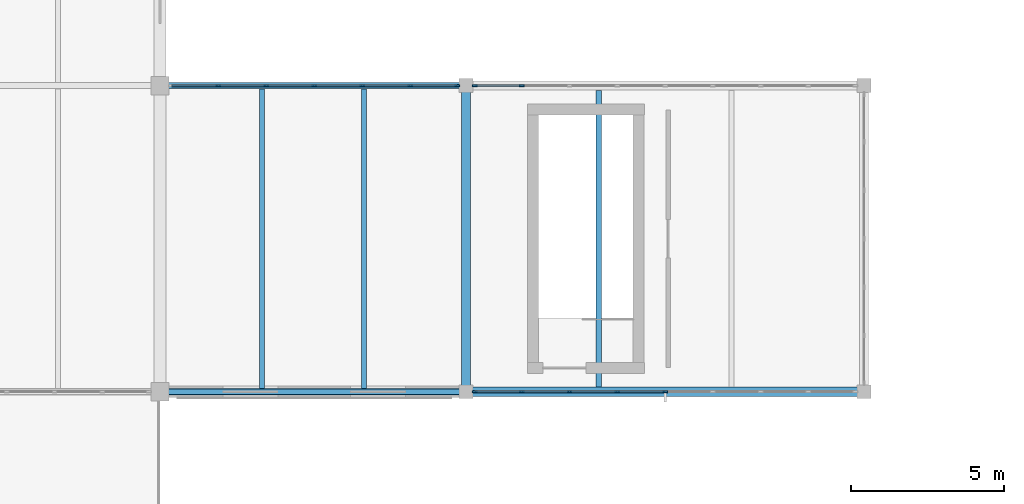
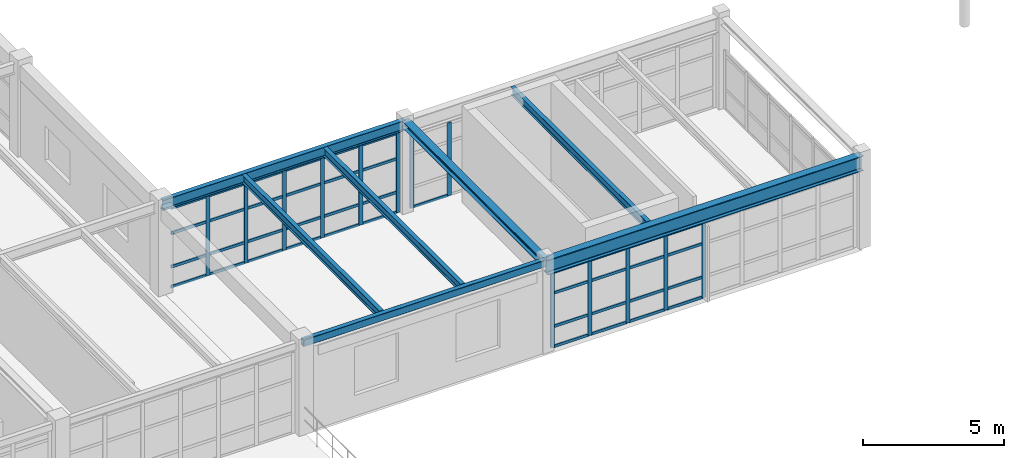
# One storey, part 28 of 122: 54 members, 7 beams, 3 elements without a shape of their own.
"""IFC4 building model written with IfcOpenShell, lengths in metres."""

from ifc_helpers import new_model, si_unit, direction, frame, origin, origin_2d, place, context, subcontext, project, spatial, rectangle, hollow_rectangle, i_section, extrude, material, layer, layer_set, material_profile, profile_set, type_object, element, aggregate, save


model = new_model("IFC4")

# Units and contexts
model_context = context("Model", 3, precision=1e-05, world=origin(), true_north=direction((0.0, 1.0)))
body_context = subcontext(model_context, "Body", "Model", "MODEL_VIEW")
ifc_project = project(units=[si_unit("LENGTHUNIT", "METRE"), si_unit("AREAUNIT", "SQUARE_METRE"), si_unit("VOLUMEUNIT", "CUBIC_METRE"), si_unit("PLANEANGLEUNIT", "RADIAN"), si_unit("MASSUNIT", "GRAM", prefix="KILO"), si_unit("THERMODYNAMICTEMPERATUREUNIT", "KELVIN"), si_unit("POWERUNIT", "WATT")], contexts=[model_context])

# Site, building, storey
site_placement = place(None, origin())
site = spatial("IfcSite", under=ifc_project, at=site_placement, CompositionType="ELEMENT")
building_placement = place(site_placement, origin())
building = spatial("IfcBuilding", under=site, at=building_placement, Name="Korenveer Ferry Terminal", CompositionType="ELEMENT")
storey_placement = place(building_placement, frame((0.0, 0.0, 10.199951171875)))
storey = spatial("IfcBuildingStorey", under=building, at=storey_placement, Name="L02", CompositionType="ELEMENT", Elevation=10.199951171875)

# Curtain wall, members
ifc_material_1 = material(Name="Unitised bronze-and-glass curtain wall", Category="glass")
ifc_layer_1 = layer(ifc_material_1, 0.159912109375)
ifc_layer_set_1 = layer_set([ifc_layer_1], Name="Unitised bronze-and-glass curtain wall")
curtain_wall_type_1 = type_object("IfcCurtainWallType", Name="ENV-CW-84", PredefinedType="USERDEFINED", material=ifc_layer_set_1)
curtain_wall_1_placement = place(storey_placement, frame((40.2548828125, 20.0, 0.0)))
curtain_wall_1 = element("IfcCurtainWall", 1, at=curtain_wall_1_placement, inside=storey, type_object=curtain_wall_type_1, Name="Lancet curtain wall CWX-L02-X40-53-Y20-20", ObjectType="UNITISED CURTAIN WALL", PredefinedType="USERDEFINED")
ifc_material_2 = material(Name="Anodised bronze aluminium", Category="aluminium")
ifc_material_profile_1 = material_profile(ifc_material_2, rectangle(XDim=0.06005859375, YDim=0.159912109375, at=origin_2d()), Name="ALU 60x160")
ifc_profile_set_1 = profile_set([ifc_material_profile_1], Name="Anodised bronze aluminium")
member_type_1 = type_object("IfcMemberType", Name="ENV-CWM-60X160", PredefinedType="MULLION", material=ifc_profile_set_1)
member_1_placement = place(storey_placement, frame((40.284912109375, 20.0, 0.0), z_axis=(0.0, 0.0, 1.0), x_axis=(0.0, 1.0, 0.0)))
member_1 = element("IfcMember", 2, at=member_1_placement, type_object=member_type_1, Name="CW-84 mullion 1", PredefinedType="MULLION", context=body_context, shape_type="SweptSolid", body=[
    extrude(rectangle(XDim=0.06005859375, YDim=0.159912109375, at=origin_2d()), origin(), (0.0, 0.0, 1.0), 3.280029296875),
])
member_2_placement = place(storey_placement, frame((41.816162109375, 20.0, 0.0), z_axis=(0.0, 0.0, 1.0), x_axis=(0.0, 1.0, 0.0)))
member_2 = element("IfcMember", 3, at=member_2_placement, type_object=member_type_1, Name="CW-84 mullion 2", PredefinedType="MULLION", context=body_context, shape_type="SweptSolid", body=[
    extrude(rectangle(XDim=0.06005859375, YDim=0.159912109375, at=origin_2d()), origin(), (0.0, 0.0, 1.0), 3.280029296875),
])
member_3_placement = place(storey_placement, frame((43.37744140625, 20.0, 0.0), z_axis=(0.0, 0.0, 1.0), x_axis=(0.0, 1.0, 0.0)))
member_3 = element("IfcMember", 4, at=member_3_placement, type_object=member_type_1, Name="CW-84 mullion 3", PredefinedType="MULLION", context=body_context, shape_type="SweptSolid", body=[
    extrude(rectangle(XDim=0.06005859375, YDim=0.159912109375, at=origin_2d()), origin(), (0.0, 0.0, 1.0), 3.280029296875),
])
member_4_placement = place(storey_placement, frame((44.938720703125, 20.0, 0.0), z_axis=(0.0, 0.0, 1.0), x_axis=(0.0, 1.0, 0.0)))
member_4 = element("IfcMember", 5, at=member_4_placement, type_object=member_type_1, Name="CW-84 mullion 4", PredefinedType="MULLION", context=body_context, shape_type="SweptSolid", body=[
    extrude(rectangle(XDim=0.06005859375, YDim=0.159912109375, at=origin_2d()), origin(), (0.0, 0.0, 1.0), 3.280029296875),
])
member_5_placement = place(storey_placement, frame((46.5, 20.0, 0.0), z_axis=(0.0, 0.0, 1.0), x_axis=(0.0, 1.0, 0.0)))
member_5 = element("IfcMember", 6, at=member_5_placement, type_object=member_type_1, Name="CW-84 mullion 5", PredefinedType="MULLION", context=body_context, shape_type="SweptSolid", body=[
    extrude(rectangle(XDim=0.06005859375, YDim=0.159912109375, at=origin_2d()), origin(), (0.0, 0.0, 1.0), 3.280029296875),
])

ifc_layer_2 = layer(ifc_material_1, 0.159912109375)
ifc_layer_set_2 = layer_set([ifc_layer_2], Name="Unitised bronze-and-glass curtain wall")
curtain_wall_type_2 = type_object("IfcCurtainWallType", Name="ENV-CW-88", PredefinedType="USERDEFINED", material=ifc_layer_set_2)
curtain_wall_2_placement = place(storey_placement, frame((30.330078125, 30.0, 0.0)))
curtain_wall_2 = element("IfcCurtainWall", 7, at=curtain_wall_2_placement, inside=storey, type_object=curtain_wall_type_2, Name="Lancet curtain wall CWX-L02-X30-40-Y30-30", ObjectType="UNITISED CURTAIN WALL", PredefinedType="USERDEFINED")
member_6_placement = place(storey_placement, frame((31.899169921875, 30.0, 0.0), z_axis=(0.0, 0.0, 1.0), x_axis=(0.0, 1.0, 0.0)))
member_6 = element("IfcMember", 8, at=member_6_placement, type_object=member_type_1, Name="CW-88 mullion 2", PredefinedType="MULLION", context=body_context, shape_type="SweptSolid", body=[
    extrude(rectangle(XDim=0.06005859375, YDim=0.159912109375, at=origin_2d()), origin(), (0.0, 0.0, 1.0), 3.47998046875),
])
member_7_placement = place(storey_placement, frame((33.46826171875, 30.0, 0.0), z_axis=(0.0, 0.0, 1.0), x_axis=(0.0, 1.0, 0.0)))
member_7 = element("IfcMember", 9, at=member_7_placement, type_object=member_type_1, Name="CW-88 mullion 3", PredefinedType="MULLION", context=body_context, shape_type="SweptSolid", body=[
    extrude(rectangle(XDim=0.06005859375, YDim=0.159912109375, at=origin_2d()), origin(), (0.0, 0.0, 1.0), 3.47998046875),
])
member_8_placement = place(storey_placement, frame((35.03759765625, 30.0, 0.0), z_axis=(0.0, 0.0, 1.0), x_axis=(0.0, 1.0, 0.0)))
member_8 = element("IfcMember", 10, at=member_8_placement, type_object=member_type_1, Name="CW-88 mullion 4", PredefinedType="MULLION", context=body_context, shape_type="SweptSolid", body=[
    extrude(rectangle(XDim=0.06005859375, YDim=0.159912109375, at=origin_2d()), origin(), (0.0, 0.0, 1.0), 3.47998046875),
])
member_9_placement = place(storey_placement, frame((36.606689453125, 30.0, 0.0), z_axis=(0.0, 0.0, 1.0), x_axis=(0.0, 1.0, 0.0)))
member_9 = element("IfcMember", 11, at=member_9_placement, type_object=member_type_1, Name="CW-88 mullion 5", PredefinedType="MULLION", context=body_context, shape_type="SweptSolid", body=[
    extrude(rectangle(XDim=0.06005859375, YDim=0.159912109375, at=origin_2d()), origin(), (0.0, 0.0, 1.0), 3.47998046875),
])
member_10_placement = place(storey_placement, frame((38.17578125, 30.0, 0.0), z_axis=(0.0, 0.0, 1.0), x_axis=(0.0, 1.0, 0.0)))
member_10 = element("IfcMember", 12, at=member_10_placement, type_object=member_type_1, Name="CW-88 mullion 6", PredefinedType="MULLION", context=body_context, shape_type="SweptSolid", body=[
    extrude(rectangle(XDim=0.06005859375, YDim=0.159912109375, at=origin_2d()), origin(), (0.0, 0.0, 1.0), 3.47998046875),
])
member_11_placement = place(storey_placement, frame((39.715087890625, 30.0, 0.0), z_axis=(0.0, 0.0, 1.0), x_axis=(0.0, 1.0, 0.0)))
member_11 = element("IfcMember", 13, at=member_11_placement, type_object=member_type_1, Name="CW-88 mullion 7", PredefinedType="MULLION", context=body_context, shape_type="SweptSolid", body=[
    extrude(rectangle(XDim=0.06005859375, YDim=0.159912109375, at=origin_2d()), origin(), (0.0, 0.0, 1.0), 3.47998046875),
])

ifc_layer_3 = layer(ifc_material_1, 0.159912109375)
ifc_layer_set_3 = layer_set([ifc_layer_3], Name="Unitised bronze-and-glass curtain wall")
curtain_wall_type_3 = type_object("IfcCurtainWallType", Name="ENV-CW-85", PredefinedType="USERDEFINED", material=ifc_layer_set_3)
curtain_wall_3_placement = place(storey_placement, frame((40.2548828125, 30.0, 0.0)))
curtain_wall_3 = element("IfcCurtainWall", 14, at=curtain_wall_3_placement, inside=storey, type_object=curtain_wall_type_3, Name="Lancet curtain wall CWX-L02-X40-53-Y30-30", ObjectType="UNITISED CURTAIN WALL", PredefinedType="USERDEFINED")
member_12_placement = place(storey_placement, frame((40.284912109375, 30.0, 0.0), z_axis=(0.0, 0.0, 1.0), x_axis=(0.0, 1.0, 0.0)))
member_12 = element("IfcMember", 15, at=member_12_placement, type_object=member_type_1, Name="CW-85 mullion 1", PredefinedType="MULLION", context=body_context, shape_type="SweptSolid", body=[
    extrude(rectangle(XDim=0.06005859375, YDim=0.159912109375, at=origin_2d()), origin(), (0.0, 0.0, 1.0), 3.179931640625),
])
member_13_placement = place(storey_placement, frame((41.816162109375, 30.0, 0.0), z_axis=(0.0, 0.0, 1.0), x_axis=(0.0, 1.0, 0.0)))
member_13 = element("IfcMember", 16, at=member_13_placement, type_object=member_type_1, Name="CW-85 mullion 2", PredefinedType="MULLION", context=body_context, shape_type="SweptSolid", body=[
    extrude(rectangle(XDim=0.06005859375, YDim=0.159912109375, at=origin_2d()), origin(), (0.0, 0.0, 1.0), 3.179931640625),
])

# Member
ifc_material_profile_2 = material_profile(ifc_material_2, rectangle(XDim=0.06005859375, YDim=0.1201171875, at=origin_2d()), Name="ALU 60x120")
ifc_profile_set_2 = profile_set([ifc_material_profile_2], Name="Anodised bronze aluminium")
member_type_2 = type_object("IfcMemberType", Name="ENV-CWT-60X120", PredefinedType="USERDEFINED", material=ifc_profile_set_2)
member_14_placement = place(storey_placement, frame((40.31494140625, 20.0, 0.030029296875), z_axis=(1.0, 0.0, 0.0), x_axis=(0.0, 1.0, 0.0)))
member_14 = element("IfcMember", 17, at=member_14_placement, type_object=member_type_2, Name="CW-84 transom 1.1", ObjectType="TRANSOM", PredefinedType="USERDEFINED", context=body_context, shape_type="SweptSolid", body=[
    extrude(rectangle(XDim=0.06005859375, YDim=0.1201171875, at=origin_2d()), origin(), (0.0, 0.0, 1.0), 1.47119140625),
])

member_15_placement = place(storey_placement, frame((40.31494140625, 20.0, 0.900146484375), z_axis=(1.0, 0.0, 0.0), x_axis=(0.0, 1.0, 0.0)))
member_15 = element("IfcMember", 18, at=member_15_placement, type_object=member_type_2, Name="CW-84 transom 1.2", ObjectType="TRANSOM", PredefinedType="USERDEFINED", context=body_context, shape_type="SweptSolid", body=[
    extrude(rectangle(XDim=0.06005859375, YDim=0.1201171875, at=origin_2d()), origin(), (0.0, 0.0, 1.0), 1.47119140625),
])

member_16_placement = place(storey_placement, frame((40.31494140625, 20.0, 2.35009765625), z_axis=(1.0, 0.0, 0.0), x_axis=(0.0, 1.0, 0.0)))
member_16 = element("IfcMember", 19, at=member_16_placement, type_object=member_type_2, Name="CW-84 transom 1.3", ObjectType="TRANSOM", PredefinedType="USERDEFINED", context=body_context, shape_type="SweptSolid", body=[
    extrude(rectangle(XDim=0.06005859375, YDim=0.1201171875, at=origin_2d()), origin(), (0.0, 0.0, 1.0), 1.47119140625),
])

member_17_placement = place(storey_placement, frame((40.31494140625, 20.0, 3.25), z_axis=(1.0, 0.0, 0.0), x_axis=(0.0, 1.0, 0.0)))
member_17 = element("IfcMember", 20, at=member_17_placement, type_object=member_type_2, Name="CW-84 transom 1.4", ObjectType="TRANSOM", PredefinedType="USERDEFINED", context=body_context, shape_type="SweptSolid", body=[
    extrude(rectangle(XDim=0.06005859375, YDim=0.1201171875, at=origin_2d()), origin(), (0.0, 0.0, 1.0), 1.47119140625),
])

member_18_placement = place(storey_placement, frame((41.84619140625, 20.0, 0.030029296875), z_axis=(1.0, 0.0, 0.0), x_axis=(0.0, 1.0, 0.0)))
member_18 = element("IfcMember", 21, at=member_18_placement, type_object=member_type_2, Name="CW-84 transom 2.1", ObjectType="TRANSOM", PredefinedType="USERDEFINED", context=body_context, shape_type="SweptSolid", body=[
    extrude(rectangle(XDim=0.06005859375, YDim=0.1201171875, at=origin_2d()), origin(), (0.0, 0.0, 1.0), 1.501220703125),
])

member_19_placement = place(storey_placement, frame((41.84619140625, 20.0, 0.900146484375), z_axis=(1.0, 0.0, 0.0), x_axis=(0.0, 1.0, 0.0)))
member_19 = element("IfcMember", 22, at=member_19_placement, type_object=member_type_2, Name="CW-84 transom 2.2", ObjectType="TRANSOM", PredefinedType="USERDEFINED", context=body_context, shape_type="SweptSolid", body=[
    extrude(rectangle(XDim=0.06005859375, YDim=0.1201171875, at=origin_2d()), origin(), (0.0, 0.0, 1.0), 1.501220703125),
])

member_20_placement = place(storey_placement, frame((41.84619140625, 20.0, 2.35009765625), z_axis=(1.0, 0.0, 0.0), x_axis=(0.0, 1.0, 0.0)))
member_20 = element("IfcMember", 23, at=member_20_placement, type_object=member_type_2, Name="CW-84 transom 2.3", ObjectType="TRANSOM", PredefinedType="USERDEFINED", context=body_context, shape_type="SweptSolid", body=[
    extrude(rectangle(XDim=0.06005859375, YDim=0.1201171875, at=origin_2d()), origin(), (0.0, 0.0, 1.0), 1.501220703125),
])

member_21_placement = place(storey_placement, frame((41.84619140625, 20.0, 3.25), z_axis=(1.0, 0.0, 0.0), x_axis=(0.0, 1.0, 0.0)))
member_21 = element("IfcMember", 24, at=member_21_placement, type_object=member_type_2, Name="CW-84 transom 2.4", ObjectType="TRANSOM", PredefinedType="USERDEFINED", context=body_context, shape_type="SweptSolid", body=[
    extrude(rectangle(XDim=0.06005859375, YDim=0.1201171875, at=origin_2d()), origin(), (0.0, 0.0, 1.0), 1.501220703125),
])

member_22_placement = place(storey_placement, frame((43.407470703125, 20.0, 0.030029296875), z_axis=(1.0, 0.0, 0.0), x_axis=(0.0, 1.0, 0.0)))
member_22 = element("IfcMember", 25, at=member_22_placement, type_object=member_type_2, Name="CW-84 transom 3.1", ObjectType="TRANSOM", PredefinedType="USERDEFINED", context=body_context, shape_type="SweptSolid", body=[
    extrude(rectangle(XDim=0.06005859375, YDim=0.1201171875, at=origin_2d()), origin(), (0.0, 0.0, 1.0), 1.501220703125),
])

member_23_placement = place(storey_placement, frame((43.407470703125, 20.0, 0.900146484375), z_axis=(1.0, 0.0, 0.0), x_axis=(0.0, 1.0, 0.0)))
member_23 = element("IfcMember", 26, at=member_23_placement, type_object=member_type_2, Name="CW-84 transom 3.2", ObjectType="TRANSOM", PredefinedType="USERDEFINED", context=body_context, shape_type="SweptSolid", body=[
    extrude(rectangle(XDim=0.06005859375, YDim=0.1201171875, at=origin_2d()), origin(), (0.0, 0.0, 1.0), 1.501220703125),
])

member_24_placement = place(storey_placement, frame((43.407470703125, 20.0, 2.35009765625), z_axis=(1.0, 0.0, 0.0), x_axis=(0.0, 1.0, 0.0)))
member_24 = element("IfcMember", 27, at=member_24_placement, type_object=member_type_2, Name="CW-84 transom 3.3", ObjectType="TRANSOM", PredefinedType="USERDEFINED", context=body_context, shape_type="SweptSolid", body=[
    extrude(rectangle(XDim=0.06005859375, YDim=0.1201171875, at=origin_2d()), origin(), (0.0, 0.0, 1.0), 1.501220703125),
])

member_25_placement = place(storey_placement, frame((43.407470703125, 20.0, 3.25), z_axis=(1.0, 0.0, 0.0), x_axis=(0.0, 1.0, 0.0)))
member_25 = element("IfcMember", 28, at=member_25_placement, type_object=member_type_2, Name="CW-84 transom 3.4", ObjectType="TRANSOM", PredefinedType="USERDEFINED", context=body_context, shape_type="SweptSolid", body=[
    extrude(rectangle(XDim=0.06005859375, YDim=0.1201171875, at=origin_2d()), origin(), (0.0, 0.0, 1.0), 1.501220703125),
])

member_26_placement = place(storey_placement, frame((44.96875, 20.0, 0.030029296875), z_axis=(1.0, 0.0, 0.0), x_axis=(0.0, 1.0, 0.0)))
member_26 = element("IfcMember", 29, at=member_26_placement, type_object=member_type_2, Name="CW-84 transom 4.1", ObjectType="TRANSOM", PredefinedType="USERDEFINED", context=body_context, shape_type="SweptSolid", body=[
    extrude(rectangle(XDim=0.06005859375, YDim=0.1201171875, at=origin_2d()), origin(), (0.0, 0.0, 1.0), 1.501220703125),
])

member_27_placement = place(storey_placement, frame((44.96875, 20.0, 0.900146484375), z_axis=(1.0, 0.0, 0.0), x_axis=(0.0, 1.0, 0.0)))
member_27 = element("IfcMember", 30, at=member_27_placement, type_object=member_type_2, Name="CW-84 transom 4.2", ObjectType="TRANSOM", PredefinedType="USERDEFINED", context=body_context, shape_type="SweptSolid", body=[
    extrude(rectangle(XDim=0.06005859375, YDim=0.1201171875, at=origin_2d()), origin(), (0.0, 0.0, 1.0), 1.501220703125),
])

member_28_placement = place(storey_placement, frame((44.96875, 20.0, 2.35009765625), z_axis=(1.0, 0.0, 0.0), x_axis=(0.0, 1.0, 0.0)))
member_28 = element("IfcMember", 31, at=member_28_placement, type_object=member_type_2, Name="CW-84 transom 4.3", ObjectType="TRANSOM", PredefinedType="USERDEFINED", context=body_context, shape_type="SweptSolid", body=[
    extrude(rectangle(XDim=0.06005859375, YDim=0.1201171875, at=origin_2d()), origin(), (0.0, 0.0, 1.0), 1.501220703125),
])

member_29_placement = place(storey_placement, frame((44.96875, 20.0, 3.25), z_axis=(1.0, 0.0, 0.0), x_axis=(0.0, 1.0, 0.0)))
member_29 = element("IfcMember", 32, at=member_29_placement, type_object=member_type_2, Name="CW-84 transom 4.4", ObjectType="TRANSOM", PredefinedType="USERDEFINED", context=body_context, shape_type="SweptSolid", body=[
    extrude(rectangle(XDim=0.06005859375, YDim=0.1201171875, at=origin_2d()), origin(), (0.0, 0.0, 1.0), 1.501220703125),
])

aggregate(curtain_wall_1, [member_1, member_2, member_3, member_4, member_5, member_14, member_15, member_16, member_17, member_18, member_19, member_20, member_21, member_22, member_23, member_24, member_25, member_26, member_27, member_28, member_29])

member_30_placement = place(storey_placement, frame((30.389892578125, 30.0, 0.030029296875), z_axis=(1.0, 0.0, 0.0), x_axis=(0.0, 1.0, 0.0)))
member_30 = element("IfcMember", 33, at=member_30_placement, type_object=member_type_2, Name="CW-88 transom 1.1", ObjectType="TRANSOM", PredefinedType="USERDEFINED", context=body_context, shape_type="SweptSolid", body=[
    extrude(rectangle(XDim=0.06005859375, YDim=0.1201171875, at=origin_2d()), origin(), (0.0, 0.0, 1.0), 1.479248046875),
])

member_31_placement = place(storey_placement, frame((30.389892578125, 30.0, 0.900146484375), z_axis=(1.0, 0.0, 0.0), x_axis=(0.0, 1.0, 0.0)))
member_31 = element("IfcMember", 34, at=member_31_placement, type_object=member_type_2, Name="CW-88 transom 1.2", ObjectType="TRANSOM", PredefinedType="USERDEFINED", context=body_context, shape_type="SweptSolid", body=[
    extrude(rectangle(XDim=0.06005859375, YDim=0.1201171875, at=origin_2d()), origin(), (0.0, 0.0, 1.0), 1.479248046875),
])

member_32_placement = place(storey_placement, frame((30.389892578125, 30.0, 2.35009765625), z_axis=(1.0, 0.0, 0.0), x_axis=(0.0, 1.0, 0.0)))
member_32 = element("IfcMember", 35, at=member_32_placement, type_object=member_type_2, Name="CW-88 transom 1.3", ObjectType="TRANSOM", PredefinedType="USERDEFINED", context=body_context, shape_type="SweptSolid", body=[
    extrude(rectangle(XDim=0.06005859375, YDim=0.1201171875, at=origin_2d()), origin(), (0.0, 0.0, 1.0), 1.479248046875),
])

member_33_placement = place(storey_placement, frame((30.389892578125, 30.0, 3.449951171875), z_axis=(1.0, 0.0, 0.0), x_axis=(0.0, 1.0, 0.0)))
member_33 = element("IfcMember", 36, at=member_33_placement, type_object=member_type_2, Name="CW-88 transom 1.4", ObjectType="TRANSOM", PredefinedType="USERDEFINED", context=body_context, shape_type="SweptSolid", body=[
    extrude(rectangle(XDim=0.06005859375, YDim=0.1201171875, at=origin_2d()), origin(), (0.0, 0.0, 1.0), 1.479248046875),
])

member_34_placement = place(storey_placement, frame((31.92919921875, 30.0, 0.030029296875), z_axis=(1.0, 0.0, 0.0), x_axis=(0.0, 1.0, 0.0)))
member_34 = element("IfcMember", 37, at=member_34_placement, type_object=member_type_2, Name="CW-88 transom 2.1", ObjectType="TRANSOM", PredefinedType="USERDEFINED", context=body_context, shape_type="SweptSolid", body=[
    extrude(rectangle(XDim=0.06005859375, YDim=0.1201171875, at=origin_2d()), origin(), (0.0, 0.0, 1.0), 1.509033203125),
])

member_35_placement = place(storey_placement, frame((31.92919921875, 30.0, 0.900146484375), z_axis=(1.0, 0.0, 0.0), x_axis=(0.0, 1.0, 0.0)))
member_35 = element("IfcMember", 38, at=member_35_placement, type_object=member_type_2, Name="CW-88 transom 2.2", ObjectType="TRANSOM", PredefinedType="USERDEFINED", context=body_context, shape_type="SweptSolid", body=[
    extrude(rectangle(XDim=0.06005859375, YDim=0.1201171875, at=origin_2d()), origin(), (0.0, 0.0, 1.0), 1.509033203125),
])

member_36_placement = place(storey_placement, frame((31.92919921875, 30.0, 2.35009765625), z_axis=(1.0, 0.0, 0.0), x_axis=(0.0, 1.0, 0.0)))
member_36 = element("IfcMember", 39, at=member_36_placement, type_object=member_type_2, Name="CW-88 transom 2.3", ObjectType="TRANSOM", PredefinedType="USERDEFINED", context=body_context, shape_type="SweptSolid", body=[
    extrude(rectangle(XDim=0.06005859375, YDim=0.1201171875, at=origin_2d()), origin(), (0.0, 0.0, 1.0), 1.509033203125),
])

member_37_placement = place(storey_placement, frame((31.92919921875, 30.0, 3.449951171875), z_axis=(1.0, 0.0, 0.0), x_axis=(0.0, 1.0, 0.0)))
member_37 = element("IfcMember", 40, at=member_37_placement, type_object=member_type_2, Name="CW-88 transom 2.4", ObjectType="TRANSOM", PredefinedType="USERDEFINED", context=body_context, shape_type="SweptSolid", body=[
    extrude(rectangle(XDim=0.06005859375, YDim=0.1201171875, at=origin_2d()), origin(), (0.0, 0.0, 1.0), 1.509033203125),
])

member_38_placement = place(storey_placement, frame((33.498291015625, 30.0, 0.030029296875), z_axis=(1.0, 0.0, 0.0), x_axis=(0.0, 1.0, 0.0)))
member_38 = element("IfcMember", 41, at=member_38_placement, type_object=member_type_2, Name="CW-88 transom 3.1", ObjectType="TRANSOM", PredefinedType="USERDEFINED", context=body_context, shape_type="SweptSolid", body=[
    extrude(rectangle(XDim=0.06005859375, YDim=0.1201171875, at=origin_2d()), origin(), (0.0, 0.0, 1.0), 1.50927734375),
])

member_39_placement = place(storey_placement, frame((33.498291015625, 30.0, 0.900146484375), z_axis=(1.0, 0.0, 0.0), x_axis=(0.0, 1.0, 0.0)))
member_39 = element("IfcMember", 42, at=member_39_placement, type_object=member_type_2, Name="CW-88 transom 3.2", ObjectType="TRANSOM", PredefinedType="USERDEFINED", context=body_context, shape_type="SweptSolid", body=[
    extrude(rectangle(XDim=0.06005859375, YDim=0.1201171875, at=origin_2d()), origin(), (0.0, 0.0, 1.0), 1.50927734375),
])

member_40_placement = place(storey_placement, frame((33.498291015625, 30.0, 2.35009765625), z_axis=(1.0, 0.0, 0.0), x_axis=(0.0, 1.0, 0.0)))
member_40 = element("IfcMember", 43, at=member_40_placement, type_object=member_type_2, Name="CW-88 transom 3.3", ObjectType="TRANSOM", PredefinedType="USERDEFINED", context=body_context, shape_type="SweptSolid", body=[
    extrude(rectangle(XDim=0.06005859375, YDim=0.1201171875, at=origin_2d()), origin(), (0.0, 0.0, 1.0), 1.50927734375),
])

member_41_placement = place(storey_placement, frame((33.498291015625, 30.0, 3.449951171875), z_axis=(1.0, 0.0, 0.0), x_axis=(0.0, 1.0, 0.0)))
member_41 = element("IfcMember", 44, at=member_41_placement, type_object=member_type_2, Name="CW-88 transom 3.4", ObjectType="TRANSOM", PredefinedType="USERDEFINED", context=body_context, shape_type="SweptSolid", body=[
    extrude(rectangle(XDim=0.06005859375, YDim=0.1201171875, at=origin_2d()), origin(), (0.0, 0.0, 1.0), 1.50927734375),
])

member_42_placement = place(storey_placement, frame((35.0673828125, 30.0, 0.030029296875), z_axis=(1.0, 0.0, 0.0), x_axis=(0.0, 1.0, 0.0)))
member_42 = element("IfcMember", 45, at=member_42_placement, type_object=member_type_2, Name="CW-88 transom 4.1", ObjectType="TRANSOM", PredefinedType="USERDEFINED", context=body_context, shape_type="SweptSolid", body=[
    extrude(rectangle(XDim=0.06005859375, YDim=0.1201171875, at=origin_2d()), origin(), (0.0, 0.0, 1.0), 1.50927734375),
])

member_43_placement = place(storey_placement, frame((35.0673828125, 30.0, 0.900146484375), z_axis=(1.0, 0.0, 0.0), x_axis=(0.0, 1.0, 0.0)))
member_43 = element("IfcMember", 46, at=member_43_placement, type_object=member_type_2, Name="CW-88 transom 4.2", ObjectType="TRANSOM", PredefinedType="USERDEFINED", context=body_context, shape_type="SweptSolid", body=[
    extrude(rectangle(XDim=0.06005859375, YDim=0.1201171875, at=origin_2d()), origin(), (0.0, 0.0, 1.0), 1.50927734375),
])

member_44_placement = place(storey_placement, frame((35.0673828125, 30.0, 2.35009765625), z_axis=(1.0, 0.0, 0.0), x_axis=(0.0, 1.0, 0.0)))
member_44 = element("IfcMember", 47, at=member_44_placement, type_object=member_type_2, Name="CW-88 transom 4.3", ObjectType="TRANSOM", PredefinedType="USERDEFINED", context=body_context, shape_type="SweptSolid", body=[
    extrude(rectangle(XDim=0.06005859375, YDim=0.1201171875, at=origin_2d()), origin(), (0.0, 0.0, 1.0), 1.50927734375),
])

member_45_placement = place(storey_placement, frame((35.0673828125, 30.0, 3.449951171875), z_axis=(1.0, 0.0, 0.0), x_axis=(0.0, 1.0, 0.0)))
member_45 = element("IfcMember", 48, at=member_45_placement, type_object=member_type_2, Name="CW-88 transom 4.4", ObjectType="TRANSOM", PredefinedType="USERDEFINED", context=body_context, shape_type="SweptSolid", body=[
    extrude(rectangle(XDim=0.06005859375, YDim=0.1201171875, at=origin_2d()), origin(), (0.0, 0.0, 1.0), 1.50927734375),
])

member_46_placement = place(storey_placement, frame((36.63671875, 30.0, 0.030029296875), z_axis=(1.0, 0.0, 0.0), x_axis=(0.0, 1.0, 0.0)))
member_46 = element("IfcMember", 49, at=member_46_placement, type_object=member_type_2, Name="CW-88 transom 5.1", ObjectType="TRANSOM", PredefinedType="USERDEFINED", context=body_context, shape_type="SweptSolid", body=[
    extrude(rectangle(XDim=0.06005859375, YDim=0.1201171875, at=origin_2d()), origin(), (0.0, 0.0, 1.0), 1.509033203125),
])

member_47_placement = place(storey_placement, frame((36.63671875, 30.0, 0.900146484375), z_axis=(1.0, 0.0, 0.0), x_axis=(0.0, 1.0, 0.0)))
member_47 = element("IfcMember", 50, at=member_47_placement, type_object=member_type_2, Name="CW-88 transom 5.2", ObjectType="TRANSOM", PredefinedType="USERDEFINED", context=body_context, shape_type="SweptSolid", body=[
    extrude(rectangle(XDim=0.06005859375, YDim=0.1201171875, at=origin_2d()), origin(), (0.0, 0.0, 1.0), 1.509033203125),
])

member_48_placement = place(storey_placement, frame((36.63671875, 30.0, 2.35009765625), z_axis=(1.0, 0.0, 0.0), x_axis=(0.0, 1.0, 0.0)))
member_48 = element("IfcMember", 51, at=member_48_placement, type_object=member_type_2, Name="CW-88 transom 5.3", ObjectType="TRANSOM", PredefinedType="USERDEFINED", context=body_context, shape_type="SweptSolid", body=[
    extrude(rectangle(XDim=0.06005859375, YDim=0.1201171875, at=origin_2d()), origin(), (0.0, 0.0, 1.0), 1.509033203125),
])

member_49_placement = place(storey_placement, frame((36.63671875, 30.0, 3.449951171875), z_axis=(1.0, 0.0, 0.0), x_axis=(0.0, 1.0, 0.0)))
member_49 = element("IfcMember", 52, at=member_49_placement, type_object=member_type_2, Name="CW-88 transom 5.4", ObjectType="TRANSOM", PredefinedType="USERDEFINED", context=body_context, shape_type="SweptSolid", body=[
    extrude(rectangle(XDim=0.06005859375, YDim=0.1201171875, at=origin_2d()), origin(), (0.0, 0.0, 1.0), 1.509033203125),
])

member_50_placement = place(storey_placement, frame((38.205810546875, 30.0, 0.030029296875), z_axis=(1.0, 0.0, 0.0), x_axis=(0.0, 1.0, 0.0)))
member_50 = element("IfcMember", 53, at=member_50_placement, type_object=member_type_2, Name="CW-88 transom 6.1", ObjectType="TRANSOM", PredefinedType="USERDEFINED", context=body_context, shape_type="SweptSolid", body=[
    extrude(rectangle(XDim=0.06005859375, YDim=0.1201171875, at=origin_2d()), origin(), (0.0, 0.0, 1.0), 1.479248046875),
])

member_51_placement = place(storey_placement, frame((38.205810546875, 30.0, 0.900146484375), z_axis=(1.0, 0.0, 0.0), x_axis=(0.0, 1.0, 0.0)))
member_51 = element("IfcMember", 54, at=member_51_placement, type_object=member_type_2, Name="CW-88 transom 6.2", ObjectType="TRANSOM", PredefinedType="USERDEFINED", context=body_context, shape_type="SweptSolid", body=[
    extrude(rectangle(XDim=0.06005859375, YDim=0.1201171875, at=origin_2d()), origin(), (0.0, 0.0, 1.0), 1.479248046875),
])

member_52_placement = place(storey_placement, frame((38.205810546875, 30.0, 2.35009765625), z_axis=(1.0, 0.0, 0.0), x_axis=(0.0, 1.0, 0.0)))
member_52 = element("IfcMember", 55, at=member_52_placement, type_object=member_type_2, Name="CW-88 transom 6.3", ObjectType="TRANSOM", PredefinedType="USERDEFINED", context=body_context, shape_type="SweptSolid", body=[
    extrude(rectangle(XDim=0.06005859375, YDim=0.1201171875, at=origin_2d()), origin(), (0.0, 0.0, 1.0), 1.479248046875),
])

member_53_placement = place(storey_placement, frame((38.205810546875, 30.0, 3.449951171875), z_axis=(1.0, 0.0, 0.0), x_axis=(0.0, 1.0, 0.0)))
member_53 = element("IfcMember", 56, at=member_53_placement, type_object=member_type_2, Name="CW-88 transom 6.4", ObjectType="TRANSOM", PredefinedType="USERDEFINED", context=body_context, shape_type="SweptSolid", body=[
    extrude(rectangle(XDim=0.06005859375, YDim=0.1201171875, at=origin_2d()), origin(), (0.0, 0.0, 1.0), 1.479248046875),
])

aggregate(curtain_wall_2, [member_6, member_7, member_8, member_9, member_10, member_11, member_30, member_31, member_32, member_33, member_34, member_35, member_36, member_37, member_38, member_39, member_40, member_41, member_42, member_43, member_44, member_45, member_46, member_47, member_48, member_49, member_50, member_51, member_52, member_53])

member_54_placement = place(storey_placement, frame((40.31494140625, 30.0, 0.030029296875), z_axis=(1.0, 0.0, 0.0), x_axis=(0.0, 1.0, 0.0)))
member_54 = element("IfcMember", 57, at=member_54_placement, type_object=member_type_2, Name="CW-85 transom 1.1", ObjectType="TRANSOM", PredefinedType="USERDEFINED", context=body_context, shape_type="SweptSolid", body=[
    extrude(rectangle(XDim=0.06005859375, YDim=0.1201171875, at=origin_2d()), origin(), (0.0, 0.0, 1.0), 1.47119140625),
])

aggregate(curtain_wall_3, [member_12, member_13, member_54])

# Beams
ifc_material_3 = material(Name="Steel S355", Category="steel")
ifc_material_profile_3 = material_profile(ifc_material_3, i_section(OverallWidth=0.300048828125, OverallDepth=0.2900390625, WebThickness=0.008544921875, FlangeThickness=0.013916015625, FilletRadius=0.027099609375, at=origin_2d()), Name="HEA 300")
ifc_profile_set_3 = profile_set([ifc_material_profile_3], Name="Steel S355")
beam_type_1 = type_object("IfcBeamType", Name="STR-BM-HEA300", PredefinedType="BEAM", material=ifc_profile_set_3)
beam_1_placement = place(storey_placement, frame((40.0, 20.02001953125, 3.81494140625), z_axis=(0.0, 1.0, 0.0), x_axis=(-1.0, 0.0, 0.0)))
element("IfcBeam", 58, at=beam_1_placement, inside=storey, type_object=beam_type_1, Name="Primary Y girder BMY-L03-X40-Y20-30", PredefinedType="BEAM", context=body_context, shape_type="SweptSolid", body=[
    extrude(i_section(OverallWidth=0.300048828125, OverallDepth=0.2900390625, WebThickness=0.008544921875, FlangeThickness=0.013916015625, FilletRadius=0.027099609375, at=origin_2d()), origin(), (0.0, 0.0, 1.0), 9.9599609375),
])
ifc_material_profile_4 = material_profile(ifc_material_3, i_section(OverallWidth=0.300048828125, OverallDepth=0.64990234375, WebThickness=0.01611328125, FlangeThickness=0.031005859375, FilletRadius=0.027099609375, at=origin_2d()), Name="HEB 650")
ifc_profile_set_4 = profile_set([ifc_material_profile_4], Name="Steel S355")
beam_type_2 = type_object("IfcBeamType", Name="STR-BM-HEB650", PredefinedType="BEAM", material=ifc_profile_set_4)
beam_2_placement = place(storey_placement, frame((40.02001953125, 20.0, 3.635009765625), z_axis=(1.0, 0.0, 0.0), x_axis=(0.0, 1.0, 0.0)))
element("IfcBeam", 59, at=beam_2_placement, inside=storey, type_object=beam_type_2, Name="Primary X girder BMX-L03-X40-53-Y20", PredefinedType="BEAM", context=body_context, shape_type="SweptSolid", body=[
    extrude(i_section(OverallWidth=0.300048828125, OverallDepth=0.64990234375, WebThickness=0.01611328125, FlangeThickness=0.031005859375, FilletRadius=0.027099609375, at=origin_2d()), origin(), (0.0, 0.0, 1.0), 12.9599609375),
])
ifc_material_profile_5 = material_profile(ifc_material_3, i_section(OverallWidth=0.18994140625, OverallDepth=0.449951171875, WebThickness=0.009521484375, FlangeThickness=0.0146484375, FilletRadius=0.02099609375, at=origin_2d()), Name="IPE 450")
ifc_profile_set_5 = profile_set([ifc_material_profile_5], Name="Steel S355")
beam_type_3 = type_object("IfcBeamType", Name="STR-BM-IPE450", PredefinedType="BEAM", material=ifc_profile_set_5)
beam_3_placement = place(storey_placement, frame((30.02001953125, 30.0, 3.735107421875), z_axis=(1.0, 0.0, 0.0), x_axis=(0.0, 1.0, 0.0)))
element("IfcBeam", 60, at=beam_3_placement, inside=storey, type_object=beam_type_3, Name="Primary X girder BMX-L03-X30-40-Y30", PredefinedType="BEAM", context=body_context, shape_type="SweptSolid", body=[
    extrude(i_section(OverallWidth=0.18994140625, OverallDepth=0.449951171875, WebThickness=0.009521484375, FlangeThickness=0.0146484375, FilletRadius=0.02099609375, at=origin_2d()), origin(), (0.0, 0.0, 1.0), 9.9599609375),
])
ifc_material_profile_6 = material_profile(ifc_material_3, i_section(OverallWidth=0.169921875, OverallDepth=0.360107421875, WebThickness=0.008056640625, FlangeThickness=0.0126953125, FilletRadius=0.01806640625, at=origin_2d()), Name="IPE 360")
ifc_profile_set_6 = profile_set([ifc_material_profile_6], Name="Steel S355")
beam_type_4 = type_object("IfcBeamType", Name="STR-JST-IPE360", PredefinedType="JOIST", material=ifc_profile_set_6)
for number, where, z_axis, x_axis, name in (
    (61, (33.333251953125, 20.110107421875, 3.780029296875), (0.0, 1.0, 0.0), (-1.0, 0.0, 0.0), "Secondary composite joist JST-L03-X333-Y20-30"),
    (62, (36.666748046875, 20.110107421875, 3.780029296875), (0.0, 1.0, 0.0), (-1.0, 0.0, 0.0), "Secondary composite joist JST-L03-X367-Y20-30"),
):
    element("IfcBeam", number, at=place(storey_placement, frame(where, z_axis=z_axis, x_axis=x_axis)), inside=storey, type_object=beam_type_4, Name=name, PredefinedType="JOIST", context=body_context, shape_type="SweptSolid", body=[
        extrude(i_section(OverallWidth=0.169921875, OverallDepth=0.360107421875, WebThickness=0.008056640625, FlangeThickness=0.0126953125, FilletRadius=0.01806640625, at=origin_2d()), origin(), (0.0, 0.0, 1.0), 9.784912109375),
    ])
beam_4_placement = place(storey_placement, frame((44.333251953125, 20.159912109375, 3.780029296875), z_axis=(0.0, 1.0, 0.0), x_axis=(-1.0, 0.0, 0.0)))
element("IfcBeam", 63, at=beam_4_placement, inside=storey, type_object=beam_type_4, Name="Secondary composite joist JST-L03-X443-Y20-30", PredefinedType="JOIST", context=body_context, shape_type="SweptSolid", body=[
    extrude(i_section(OverallWidth=0.169921875, OverallDepth=0.360107421875, WebThickness=0.008056640625, FlangeThickness=0.0126953125, FilletRadius=0.01806640625, at=origin_2d()), origin(), (0.0, 0.0, 1.0), 9.68017578125),
])
ifc_material_profile_7 = material_profile(ifc_material_3, hollow_rectangle(XDim=0.199951171875, YDim=0.300048828125, WallThickness=0.012451171875, InnerFilletRadius=0.012451171875, OuterFilletRadius=0.018798828125, at=origin_2d()), Name="RHS 300x200x12.5")
ifc_profile_set_7 = profile_set([ifc_material_profile_7], Name="Steel S355")
beam_type_5 = type_object("IfcBeamType", Name="STR-SPD-RHS300", PredefinedType="SPANDREL", material=ifc_profile_set_7)
beam_5_placement = place(storey_placement, frame((30.02001953125, 20.0, 3.81005859375), z_axis=(1.0, 0.0, 0.0), x_axis=(0.0, 1.0, 0.0)))
element("IfcBeam", 64, at=beam_5_placement, inside=storey, type_object=beam_type_5, Name="Primary X girder BMX-L03-X30-40-Y20", PredefinedType="SPANDREL", context=body_context, shape_type="SweptSolid", body=[
    extrude(hollow_rectangle(XDim=0.199951171875, YDim=0.300048828125, WallThickness=0.012451171875, InnerFilletRadius=0.012451171875, OuterFilletRadius=0.018798828125, at=origin_2d()), origin(), (0.0, 0.0, 1.0), 9.9599609375),
])

save(model, "model.ifc")
